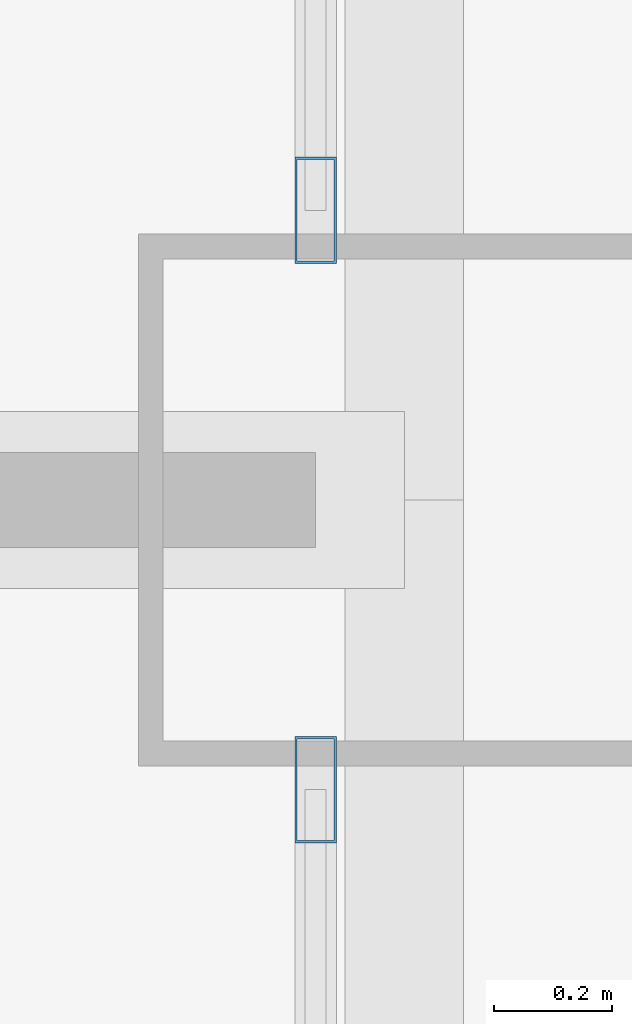
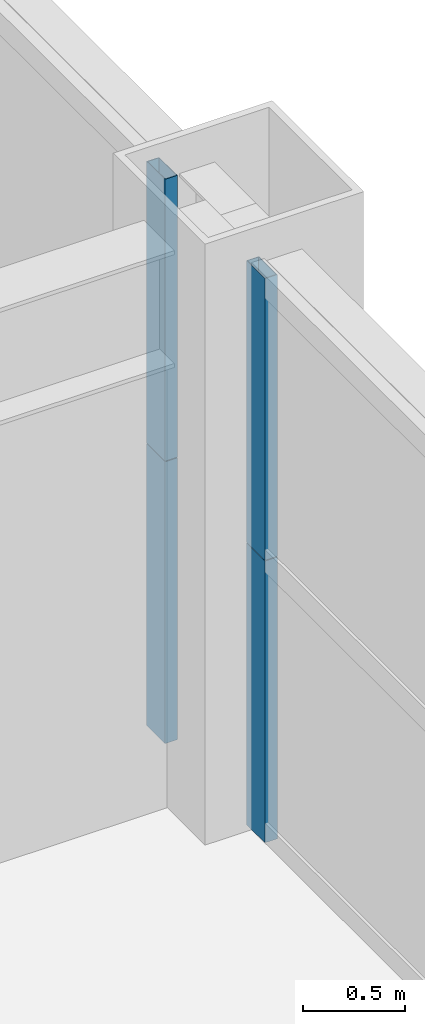
# One storey, part 21 of 42: 4 members, 2 elements without a shape of their own.
"""IFC4 building model written with IfcOpenShell, lengths in metres."""

from ifc_helpers import new_model, si_unit, direction, frame, origin, origin_2d, place, context, subcontext, project, spatial, hollow_rectangle, extrude, source, transform, mapped, material, layer, layer_set, material_profile, profile_set, type_object, element, aggregate, save


model = new_model("IFC4")

# Units and contexts
model_context = context("Model", 3, precision=1e-05, world=origin(), true_north=direction((0.0, 1.0)))
body_context = subcontext(model_context, "Body", "Model", "MODEL_VIEW")
ifc_project = project(units=[si_unit("LENGTHUNIT", "METRE"), si_unit("AREAUNIT", "SQUARE_METRE"), si_unit("VOLUMEUNIT", "CUBIC_METRE"), si_unit("PLANEANGLEUNIT", "RADIAN"), si_unit("MASSUNIT", "GRAM", prefix="KILO"), si_unit("THERMODYNAMICTEMPERATUREUNIT", "KELVIN"), si_unit("POWERUNIT", "WATT")], contexts=[model_context])

# Site, building, storey
site_placement = place(None, origin())
site = spatial("IfcSite", under=ifc_project, at=site_placement, CompositionType="ELEMENT")
building_placement = place(site_placement, origin())
building = spatial("IfcBuilding", under=site, at=building_placement, Name="Yuzanri Waterfront Tower", CompositionType="ELEMENT")
storey_placement = place(building_placement, frame((0.0, 0.0, 145.199951171875)))
storey = spatial("IfcBuildingStorey", under=building, at=storey_placement, Name="L38", CompositionType="ELEMENT", Elevation=145.199951171875)

# Curtain wall, members
ifc_material_1 = material(Name="Anodized Architectural Bronze", Category="metal")
ifc_layer = layer(ifc_material_1, 0.159912109375)
ifc_layer_set = layer_set([ifc_layer], Name="Anodized Architectural Bronze")
curtain_wall_type = type_object("IfcCurtainWallType", Name="Anodized Bronze Hotel Upper-Tier Solar-Control Unitized Curtain Wall 7800", PredefinedType="NOTDEFINED", material=ifc_layer_set)
curtain_wall_1_placement = place(storey_placement, origin())
curtain_wall_1 = element("IfcCurtainWall", 1, at=curtain_wall_1_placement, inside=storey, type_object=curtain_wall_type, Name="L38 Curtain Wall CW-L38-EL", PredefinedType="NOTDEFINED")
ifc_material_2 = material(Name="Anodized Architectural Bronze", Category="metal")
ifc_material_profile = material_profile(ifc_material_2, hollow_rectangle(XDim=0.070068359375, YDim=0.179931640625, WallThickness=0.00390625, at=origin_2d()), Name="CWM 70x180")
ifc_profile_set = profile_set([ifc_material_profile], Name="Anodized Architectural Bronze")
member_type = type_object("IfcMemberType", Name="Anodized Bronze Standard Curtain-Wall Mullion 70x180", PredefinedType="MULLION", material=ifc_profile_set)
shared_shape = source(origin(), body_context, "Body", "SweptSolid", [
    extrude(hollow_rectangle(XDim=0.070068359375, YDim=0.179931640625, WallThickness=0.00390625, at=origin_2d()), origin(), (0.0, 0.0, 1.0), 1.68798828125),
])
member_1_placement = place(storey_placement, frame((60.449951171875, 25.31005859375, 0.0), z_axis=(0.0, 0.0, 1.0), x_axis=(1.0, 0.0, 0.0)))
member_1 = element("IfcMember", 2, at=member_1_placement, type_object=member_type, Name="CW-L38-EL Lower Mullion 02", PredefinedType="MULLION", context=body_context, shape_type="MappedRepresentation", body=[
    mapped(shared_shape, transform((0.0, 0.0, 0.0), scale=1.0)),
])
member_2_placement = place(storey_placement, frame((60.449951171875, 25.31005859375, 1.692138671875), z_axis=(0.0, 0.0, 1.0), x_axis=(1.0, 0.0, 0.0)))
member_2 = element("IfcMember", 3, at=member_2_placement, type_object=member_type, Name="CW-L38-EL Upper Mullion 02", PredefinedType="MULLION", context=body_context, shape_type="MappedRepresentation", body=[
    mapped(shared_shape, transform((0.0, 0.0, 0.0), scale=1.0)),
])
aggregate(curtain_wall_1, [member_1, member_2])

curtain_wall_2_placement = place(storey_placement, origin())
curtain_wall_2 = element("IfcCurtainWall", 4, at=curtain_wall_2_placement, inside=storey, type_object=curtain_wall_type, Name="L38 Curtain Wall CW-L38-ER", PredefinedType="NOTDEFINED")
member_3_placement = place(storey_placement, frame((60.449951171875, 26.2900390625, 0.0), z_axis=(0.0, 0.0, 1.0), x_axis=(1.0, 0.0, 0.0)))
member_3 = element("IfcMember", 5, at=member_3_placement, type_object=member_type, Name="CW-L38-ER Lower Mullion 00", PredefinedType="MULLION", context=body_context, shape_type="MappedRepresentation", body=[
    mapped(shared_shape, transform((0.0, 0.0, 0.0), scale=1.0)),
])
member_4_placement = place(storey_placement, frame((60.449951171875, 26.2900390625, 1.692138671875), z_axis=(0.0, 0.0, 1.0), x_axis=(1.0, 0.0, 0.0)))
member_4 = element("IfcMember", 6, at=member_4_placement, type_object=member_type, Name="CW-L38-ER Upper Mullion 00", PredefinedType="MULLION", context=body_context, shape_type="MappedRepresentation", body=[
    mapped(shared_shape, transform((0.0, 0.0, 0.0), scale=1.0)),
])
aggregate(curtain_wall_2, [member_3, member_4])

save(model, "model.ifc")
